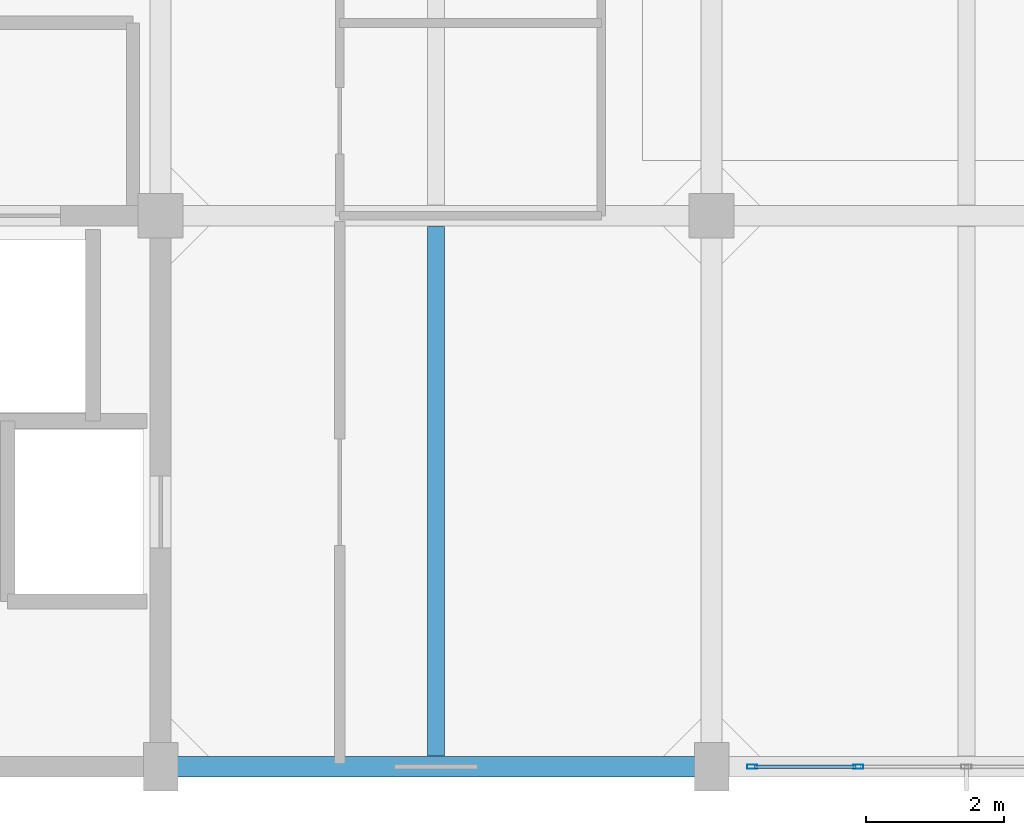
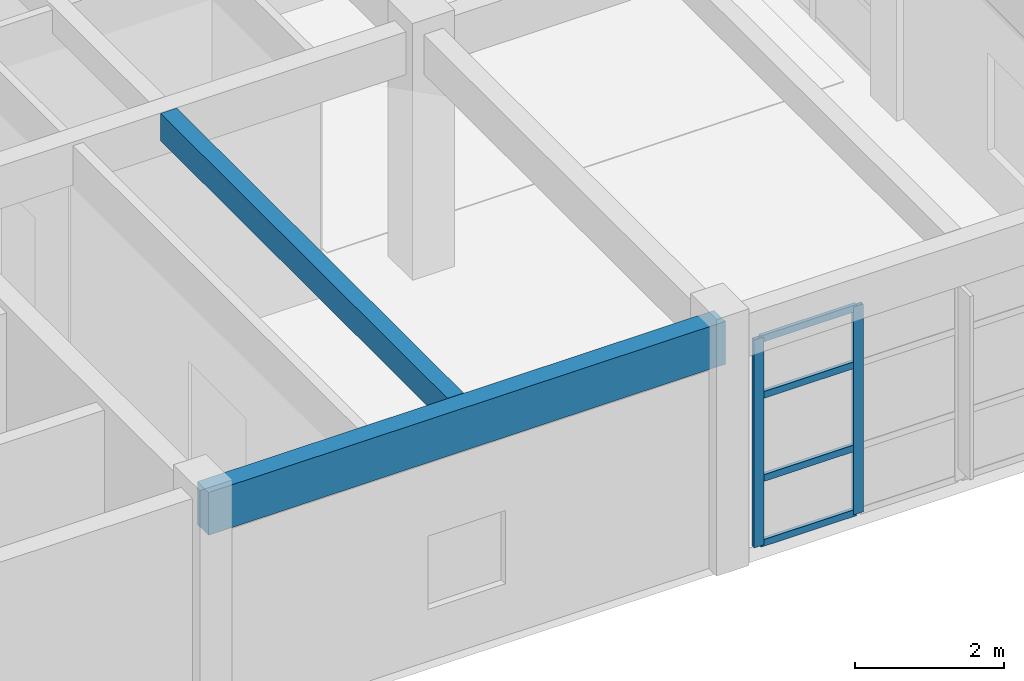
# One storey, part 5 of 18: 6 members, 2 beams, 1 element without a shape of its own.
"""IFC4 building model written with IfcOpenShell, lengths in metres."""

import ifcopenshell
import ifcopenshell.guid

model = None  # the IFC model being written
_history = None  # IfcOwnerHistory: only IFC2X3 demands one
_inside = {}  # id of a spatial element -> (the spatial element, [elements in it])
_under = {}  # id of a project, library or spatial element -> (it, [spatial elements below it])
_declared = {}  # id of a project -> (the project, [libraries it declares])
_typed = {}  # id of a type object -> (the type object, [elements of that type])
_made_of = {}  # id of a material, layer set ... -> (it, [elements and type objects made of it])


def new_model(schema):
    """Start an empty IFC model of exactly this schema.

    Asked for "IFC4X3", IfcOpenShell would pick the latest addendum, in which some entities
    have other attributes; the version numbers below select the first issue.
    IFC2X3 requires an IfcOwnerHistory on every rooted entity: one is made here for all.
    """
    global model, _history
    if schema == "IFC4X3":
        model = ifcopenshell.file(schema_version=(4, 3, 0, 0))
    else:
        model = ifcopenshell.file(schema=schema)
    _inside.clear()
    _under.clear()
    _declared.clear()
    _typed.clear()
    _made_of.clear()
    _history = None
    if model.schema == "IFC2X3":
        org = make("IfcOrganization", Name="unknown")
        user = make(
            "IfcPersonAndOrganization",
            ThePerson=make("IfcPerson", FamilyName="unknown"),
            TheOrganization=org,
        )
        app = make(
            "IfcApplication",
            ApplicationDeveloper=org,
            Version="unknown",
            ApplicationFullName="unknown",
            ApplicationIdentifier="unknown",
        )
        _history = make(
            "IfcOwnerHistory",
            OwningUser=user,
            OwningApplication=app,
            ChangeAction="ADDED",
            CreationDate=0,
        )
    return model


def make(cls, **values):
    """One entity of the class cls with the attributes given. An attribute that is None is left unset."""
    return model.create_entity(
        cls, **{name: value for name, value in values.items() if value is not None}
    )


def rooted(cls, **values):
    """An entity with a GlobalId (a new one), such as an element, a storey or a relation."""
    return make(cls, GlobalId=ifcopenshell.guid.new(), OwnerHistory=_history, **values)


def si_unit(unit_type, name, prefix=None):
    """IfcSIUnit, for example si_unit("LENGTHUNIT", "METRE", prefix="MILLI")."""
    return make("IfcSIUnit", UnitType=unit_type, Prefix=prefix, Name=name)


def assignment(units):
    """IfcUnitAssignment: the units of a project."""
    return None if units is None else make("IfcUnitAssignment", Units=units)


def point(xyz):
    """IfcCartesianPoint."""
    return None if xyz is None else make("IfcCartesianPoint", Coordinates=xyz)


def direction(xyz):
    """IfcDirection."""
    return None if xyz is None else make("IfcDirection", DirectionRatios=xyz)


def frame(location, z_axis=None, x_axis=None):
    """IfcAxis2Placement3D, a coordinate frame: its origin and axes. An axis left out is left unset."""
    return make(
        "IfcAxis2Placement3D",
        Location=point(location),
        Axis=direction(z_axis),
        RefDirection=direction(x_axis),
    )


def frame_2d(location, x_axis=None):
    """IfcAxis2Placement2D, a coordinate frame in the plane: its origin and x axis."""
    return make(
        "IfcAxis2Placement2D", Location=point(location), RefDirection=direction(x_axis)
    )


def origin():
    """The frame at (0, 0, 0) with its axes left unset."""
    return frame((0.0, 0.0, 0.0))


def origin_2d():
    """The frame at (0, 0) in the plane with its x axis left unset."""
    return frame_2d((0.0, 0.0))


def place(relative_to, where):
    """IfcLocalPlacement: puts the frame where relative to a parent placement (None: the world)."""
    return make(
        "IfcLocalPlacement", PlacementRelTo=relative_to, RelativePlacement=where
    )


def context(
    kind, dimensions, precision=None, world=None, true_north=None, identifier=None
):
    """IfcGeometricRepresentationContext, for example the 3D "Model" context."""
    return make(
        "IfcGeometricRepresentationContext",
        ContextIdentifier=identifier,
        ContextType=kind,
        CoordinateSpaceDimension=dimensions,
        Precision=precision,
        WorldCoordinateSystem=world,
        TrueNorth=true_north,
    )


def subcontext(parent, identifier, kind, view, scale=None):
    """IfcGeometricRepresentationSubContext, for example "Body" below "Model"."""
    return make(
        "IfcGeometricRepresentationSubContext",
        ContextIdentifier=identifier,
        ContextType=kind,
        ParentContext=parent,
        TargetScale=scale,
        TargetView=view,
    )


def project(units=None, contexts=None):
    """IfcProject with its units and contexts."""
    return rooted(
        "IfcProject",
        Name="project",
        RepresentationContexts=contexts,
        UnitsInContext=assignment(units),
    )


def spatial(cls, under=None, at=None, **own):
    """A site, building, storey or space (cls), placed at a placement, below another one or the project."""
    s = rooted(cls, ObjectPlacement=at, **own)
    if under is not None:
        _under.setdefault(under.id(), (under, []))[1].append(s)
    return s


def profile(cls, at=None, kind="AREA", **sizes):
    """A parametric profile (cls). Its sizes go by their IFC names, for example OverallWidth=200.0."""
    return make(cls, ProfileType=kind, Position=at, **sizes)


def rectangle(**sizes):
    """IfcRectangleProfileDef."""
    return profile("IfcRectangleProfileDef", **sizes)


def hollow_rectangle(**sizes):
    """IfcRectangleHollowProfileDef."""
    return profile("IfcRectangleHollowProfileDef", **sizes)


def extrude(swept, where, along, depth):
    """IfcExtrudedAreaSolid: the profile swept, set in the frame where, extruded along a direction by depth."""
    return make(
        "IfcExtrudedAreaSolid",
        SweptArea=swept,
        Position=where,
        ExtrudedDirection=direction(along),
        Depth=depth,
    )


def shape(context_of_items, identifier, shape_type, items):
    """IfcShapeRepresentation: the items that make up one representation, for example the "Body"."""
    return make(
        "IfcShapeRepresentation",
        ContextOfItems=context_of_items,
        RepresentationIdentifier=identifier,
        RepresentationType=shape_type,
        Items=items,
    )


def material(Name=None, Category=None):
    """IfcMaterial."""
    return make("IfcMaterial", Name=Name, Category=Category)


def layer(
    of_material, thickness, ventilated=None, Name=None, Category=None, Priority=None
):
    """IfcMaterialLayer: one layer of a wall or slab, of a material (None: an air gap)."""
    return make(
        "IfcMaterialLayer",
        Material=of_material,
        LayerThickness=thickness,
        IsVentilated=ventilated,
        Name=Name,
        Category=Category,
        Priority=Priority,
    )


def layer_set(layers, Name=None):
    """IfcMaterialLayerSet."""
    return make("IfcMaterialLayerSet", MaterialLayers=layers, LayerSetName=Name)


def material_profile(
    of_material, cross_section, Name=None, Category=None, Priority=None
):
    """IfcMaterialProfile: a cross section and its material."""
    return make(
        "IfcMaterialProfile",
        Name=Name,
        Material=of_material,
        Profile=cross_section,
        Priority=Priority,
        Category=Category,
    )


def profile_set(profiles, Name=None, composite=None):
    """IfcMaterialProfileSet."""
    return make(
        "IfcMaterialProfileSet",
        Name=Name,
        MaterialProfiles=profiles,
        CompositeProfile=composite,
    )


def made_of(thing, what):
    """Note that an element or type object is made of a material, layer set ...; save() writes the relation."""
    if what is not None:
        _made_of.setdefault(what.id(), (what, []))[1].append(thing)
    return thing


def type_object(cls, material=None, **own):
    """A type object (cls), such as IfcWallType, which elements share."""
    return made_of(rooted(cls, **own), material)


def element(
    cls,
    number,
    at=None,
    inside=None,
    cuts=None,
    type_object=None,
    material=None,
    context=None,
    identifier="Body",
    shape_type=None,
    held_by="IfcProductDefinitionShape",
    body=None,
    shapes=None,
    **own,
):
    """One element of the class cls, such as IfcWall. Its Tag is "e" and its number.

    at: its placement. inside: the storey or other place that contains it. cuts: it is an
    opening in that element (IfcRelVoidsElement). A single representation is given by context,
    identifier, shape_type and body (its items); several are given by shapes. held_by: the class
    of the entity that holds the representations. save() writes the other relations.
    """
    e = rooted(cls, Tag="e%d" % number, ObjectPlacement=at, **own)
    if body is not None:
        shapes = [shape(context, identifier, shape_type, body)]
    if shapes is not None:
        e.Representation = make(held_by, Representations=shapes)
    if inside is not None:
        _inside.setdefault(inside.id(), (inside, []))[1].append(e)
    if cuts is not None:
        rooted(
            "IfcRelVoidsElement", RelatingBuildingElement=cuts, RelatedOpeningElement=e
        )
    if type_object is not None:
        _typed.setdefault(type_object.id(), (type_object, []))[1].append(e)
    return made_of(e, material)


def aggregate(whole, parts):
    """IfcRelAggregates: a whole, such as a stair, and the parts it consists of."""
    return rooted("IfcRelAggregates", RelatingObject=whole, RelatedObjects=parts)


def save(model, path):
    """Write the relations noted so far, then the file.

    IfcRelAggregates (storeys below a building ...), IfcRelContainedInSpatialStructure (elements
    in a storey), IfcRelDefinesByType, IfcRelAssociatesMaterial and IfcRelDeclares: one each for
    every whole, place, type object, material and project.
    """
    for whole, parts in _under.values():
        aggregate(whole, parts)
    for where, things in _inside.values():
        rooted(
            "IfcRelContainedInSpatialStructure",
            RelatedElements=things,
            RelatingStructure=where,
        )
    for kind, things in _typed.values():
        rooted("IfcRelDefinesByType", RelatedObjects=things, RelatingType=kind)
    for what, things in _made_of.values():
        rooted("IfcRelAssociatesMaterial", RelatedObjects=things, RelatingMaterial=what)
    for by, libraries in _declared.values():
        rooted("IfcRelDeclares", RelatingContext=by, RelatedDefinitions=libraries)
    model.write(path)


model = new_model("IFC4")

# Units and contexts
model_context = context("Model", 3, precision=1e-05, world=origin(), true_north=direction((0.0, 1.0)))
body_context = subcontext(model_context, "Body", "Model", "MODEL_VIEW")
ifc_project = project(units=[si_unit("LENGTHUNIT", "METRE"), si_unit("AREAUNIT", "SQUARE_METRE"), si_unit("VOLUMEUNIT", "CUBIC_METRE"), si_unit("PLANEANGLEUNIT", "RADIAN"), si_unit("MASSUNIT", "GRAM", prefix="KILO")], contexts=[model_context])

# Site, building, storey
site_placement = place(None, origin())
site = spatial("IfcSite", under=ifc_project, at=site_placement, CompositionType="ELEMENT")
building_placement = place(site_placement, origin())
building = spatial("IfcBuilding", under=site, at=building_placement, Name="Canggui Botanical Conservatory", CompositionType="ELEMENT")
storey_placement = place(building_placement, frame((0.0, 0.0, 61.199951171875)))
storey = spatial("IfcBuildingStorey", under=building, at=storey_placement, Name="L15", CompositionType="ELEMENT", Elevation=61.199951171875)

# Beams
ifc_material_1 = material(Name="Concrete C35", Category="concrete")
ifc_material_profile_1 = material_profile(ifc_material_1, rectangle(XDim=0.25, YDim=0.449951171875, at=origin_2d()), Name="RB 250x450")
ifc_profile_set_1 = profile_set([ifc_material_profile_1], Name="Concrete C35")
beam_type_1 = type_object("IfcBeamType", Name="BM-JST05", PredefinedType="JOIST", material=ifc_profile_set_1)
beam_1_placement = place(storey_placement, frame((166.0, 42.155029296875, 3.735107421875), z_axis=(0.0, 1.0, 0.0), x_axis=(-1.0, 0.0, 0.0)))
element("IfcBeam", 1, at=beam_1_placement, inside=storey, type_object=beam_type_1, Name="Secondary Floor Joist L15-3-1", PredefinedType="JOIST", context=body_context, shape_type="SweptSolid", body=[
    extrude(rectangle(XDim=0.25, YDim=0.449951171875, at=origin_2d()), origin(), (0.0, 0.0, 1.0), 7.68994140625),
])
ifc_material_profile_2 = material_profile(ifc_material_1, rectangle(XDim=0.300048828125, YDim=0.699951171875, at=origin_2d()), Name="RB 300x700")
ifc_profile_set_2 = profile_set([ifc_material_profile_2], Name="Concrete C35")
beam_type_2 = type_object("IfcBeamType", Name="BM-KL21", PredefinedType="BEAM", material=ifc_profile_set_2)
beam_2_placement = place(storey_placement, frame((162.0, 42.0, 3.610107421875), z_axis=(1.0, 0.0, 0.0), x_axis=(0.0, 1.0, 0.0)))
element("IfcBeam", 2, at=beam_2_placement, inside=storey, type_object=beam_type_2, Name="Frame Girder L15 Y42-3", PredefinedType="BEAM", context=body_context, shape_type="SweptSolid", body=[
    extrude(rectangle(XDim=0.300048828125, YDim=0.699951171875, at=origin_2d()), origin(), (0.0, 0.0, 1.0), 8.0),
])

# Curtain wall, members
ifc_material_2 = material(Name="Thermally Broken Aluminium", Category="aluminium")
ifc_layer = layer(ifc_material_2, 0.14990234375, Name="Thermally Broken Aluminium", Category="aluminium")
ifc_layer_set = layer_set([ifc_layer], Name="Thermally Broken Aluminium")
curtain_wall_type = type_object("IfcCurtainWallType", Name="CW-UNIT-C", PredefinedType="USERDEFINED", material=ifc_layer_set)
curtain_wall_placement = place(storey_placement, origin())
curtain_wall = element("IfcCurtainWall", 3, at=curtain_wall_placement, inside=storey, type_object=curtain_wall_type, Name="Facade Curtain Wall CW-TWR-L15-01", ObjectType="UNITISED CURTAIN WALL", PredefinedType="USERDEFINED")
ifc_material_profile_3 = material_profile(ifc_material_2, hollow_rectangle(XDim=0.06005859375, YDim=0.14990234375, WallThickness=0.00341796875, at=origin_2d()), Name="CWM 60x150x3.5")
ifc_profile_set_3 = profile_set([ifc_material_profile_3], Name="Thermally Broken Aluminium")
member_type_1 = type_object("IfcMemberType", Name="CWM-03", PredefinedType="MULLION", material=ifc_profile_set_3)
member_1_placement = place(storey_placement, frame((172.1298828125, 42.0, 0.0), z_axis=(0.0, 0.0, 1.0), x_axis=(0.0, -1.0, 0.0)))
member_1 = element("IfcMember", 4, at=member_1_placement, type_object=member_type_1, Name="CW-03 mullion 4", PredefinedType="MULLION", context=body_context, shape_type="SweptSolid", body=[
    extrude(hollow_rectangle(XDim=0.06005859375, YDim=0.14990234375, WallThickness=0.00341796875, at=origin_2d()), origin(), (0.0, 0.0, 1.0), 3.400146484375),
])
member_2_placement = place(storey_placement, frame((170.590087890625, 42.0, 0.0), z_axis=(0.0, 0.0, 1.0), x_axis=(0.0, -1.0, 0.0)))
member_2 = element("IfcMember", 5, at=member_2_placement, type_object=member_type_1, Name="CW-03 mullion 5", PredefinedType="MULLION", context=body_context, shape_type="SweptSolid", body=[
    extrude(hollow_rectangle(XDim=0.06005859375, YDim=0.14990234375, WallThickness=0.00341796875, at=origin_2d()), origin(), (0.0, 0.0, 1.0), 3.400146484375),
])
ifc_material_profile_4 = material_profile(ifc_material_2, hollow_rectangle(XDim=0.054931640625, YDim=0.110107421875, WallThickness=0.0029296875, at=origin_2d()), Name="CWT 55x110x3")
ifc_profile_set_4 = profile_set([ifc_material_profile_4], Name="Thermally Broken Aluminium")
member_type_2 = type_object("IfcMemberType", Name="CWT-03", PredefinedType="USERDEFINED", material=ifc_profile_set_4)
member_3_placement = place(storey_placement, frame((172.10009765625, 42.0, 0.027587890625), z_axis=(-1.0, 0.0, 0.0), x_axis=(0.0, -1.0, 0.0)))
member_3 = element("IfcMember", 6, at=member_3_placement, type_object=member_type_2, Name="CW-03 transom 4.1", ObjectType="TRANSOM", PredefinedType="USERDEFINED", context=body_context, shape_type="SweptSolid", body=[
    extrude(hollow_rectangle(XDim=0.054931640625, YDim=0.110107421875, WallThickness=0.0029296875, at=origin_2d()), origin(), (0.0, 0.0, 1.0), 1.47998046875),
])
member_4_placement = place(storey_placement, frame((172.10009765625, 42.0, 1.088134765625), z_axis=(-1.0, 0.0, 0.0), x_axis=(0.0, -1.0, 0.0)))
member_4 = element("IfcMember", 7, at=member_4_placement, type_object=member_type_2, Name="CW-03 transom 4.2", ObjectType="TRANSOM", PredefinedType="USERDEFINED", context=body_context, shape_type="SweptSolid", body=[
    extrude(hollow_rectangle(XDim=0.054931640625, YDim=0.110107421875, WallThickness=0.0029296875, at=origin_2d()), origin(), (0.0, 0.0, 1.0), 1.47998046875),
])
member_5_placement = place(storey_placement, frame((172.10009765625, 42.0, 2.447998046875), z_axis=(-1.0, 0.0, 0.0), x_axis=(0.0, -1.0, 0.0)))
member_5 = element("IfcMember", 8, at=member_5_placement, type_object=member_type_2, Name="CW-03 transom 4.3", ObjectType="TRANSOM", PredefinedType="USERDEFINED", context=body_context, shape_type="SweptSolid", body=[
    extrude(hollow_rectangle(XDim=0.054931640625, YDim=0.110107421875, WallThickness=0.0029296875, at=origin_2d()), origin(), (0.0, 0.0, 1.0), 1.47998046875),
])
member_6_placement = place(storey_placement, frame((172.10009765625, 42.0, 3.37255859375), z_axis=(-1.0, 0.0, 0.0), x_axis=(0.0, -1.0, 0.0)))
member_6 = element("IfcMember", 9, at=member_6_placement, type_object=member_type_2, Name="CW-03 transom 4.4", ObjectType="TRANSOM", PredefinedType="USERDEFINED", context=body_context, shape_type="SweptSolid", body=[
    extrude(hollow_rectangle(XDim=0.054931640625, YDim=0.110107421875, WallThickness=0.0029296875, at=origin_2d()), origin(), (0.0, 0.0, 1.0), 1.47998046875),
])
aggregate(curtain_wall, [member_1, member_2, member_3, member_4, member_5, member_6])

save(model, "model.ifc")
